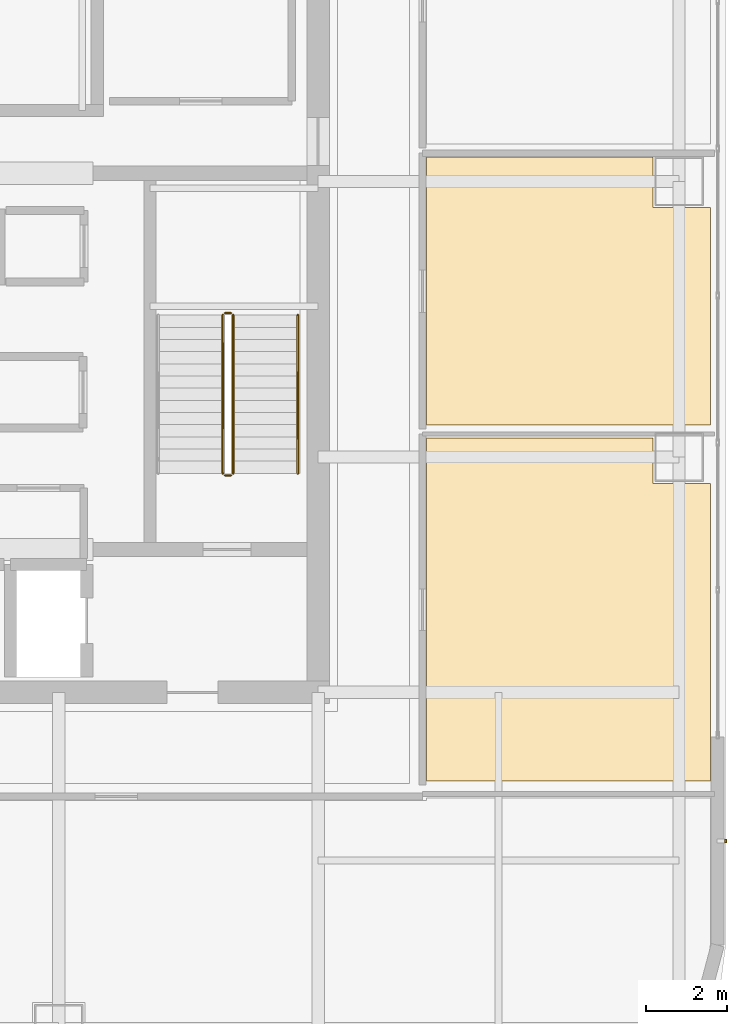
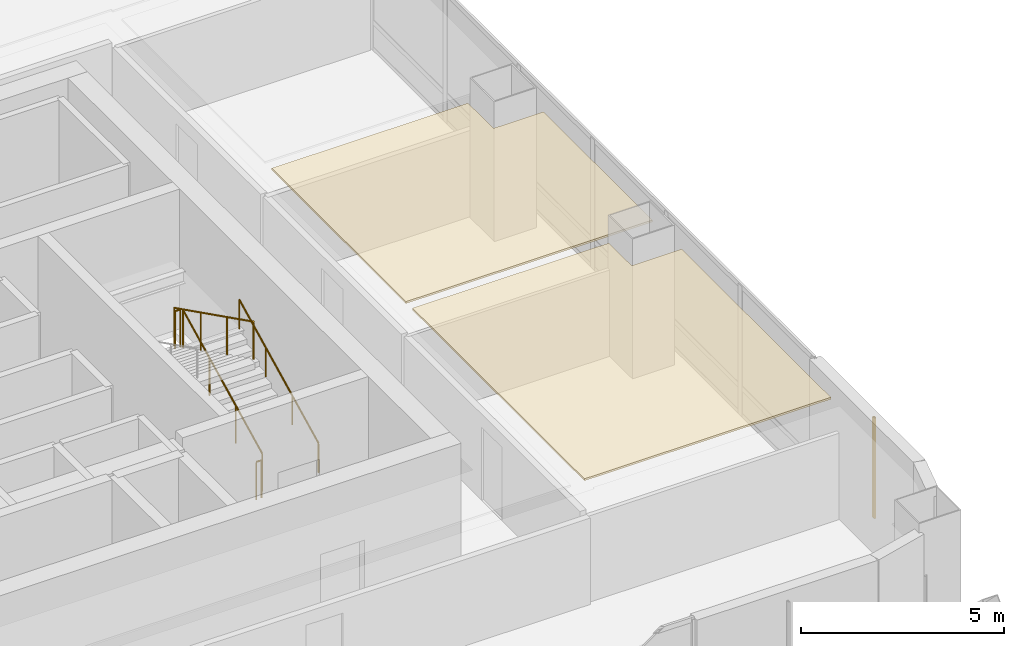
# One storey, part 45 of 51: 5 railings, 2 coverings, 1 shading device.
"""IFC4 building model written with IfcOpenShell, lengths in metres."""

from ifc_helpers import new_model, si_unit, direction, frame, origin, origin_2d, place, context, subcontext, project, spatial, polyline, hollow_rectangle, circle, outline, extrude, material, layer, layer_set, material_profile, profile_set, type_object, element, save


model = new_model("IFC4")

# Units and contexts
model_context = context("Model", 3, precision=1e-05, world=origin(), true_north=direction((0.0, 1.0)))
body_context = subcontext(model_context, "Body", "Model", "MODEL_VIEW")
ifc_project = project(units=[si_unit("LENGTHUNIT", "METRE"), si_unit("AREAUNIT", "SQUARE_METRE"), si_unit("VOLUMEUNIT", "CUBIC_METRE"), si_unit("PLANEANGLEUNIT", "RADIAN"), si_unit("MASSUNIT", "GRAM", prefix="KILO")], contexts=[model_context])

# Site, building, storey
site_placement = place(None, origin())
site = spatial("IfcSite", under=ifc_project, at=site_placement, CompositionType="ELEMENT")
building_placement = place(site_placement, origin())
building = spatial("IfcBuilding", under=site, at=building_placement, Name="Punatoya Terracotta Tower", CompositionType="ELEMENT")
storey_placement = place(building_placement, frame((0.0, 0.0, 313.199951171875)))
storey = spatial("IfcBuildingStorey", under=building, at=storey_placement, Name="L74", CompositionType="ELEMENT", Elevation=313.199951171875)

# Coverings
ifc_material_1 = material(Name="Acoustic Mineral Fibre Ceiling")
ifc_layer = layer(ifc_material_1, 0.06005859375)
ifc_layer_set = layer_set([ifc_layer], Name="Acoustic Mineral Fibre Ceiling")
covering_type = type_object("IfcCoveringType", Name="COV-CEIL-60", PredefinedType="CEILING", material=ifc_layer_set)
covering_1_placement = place(storey_placement, frame((0.0, 0.0, 3.39013671875)))
element("IfcCovering", 1, at=covering_1_placement, inside=storey, type_object=covering_type, Name="L74 Open-Plan Cultural History Classroom Acoustic Ceiling", PredefinedType="CEILING", context=body_context, shape_type="SweptSolid", body=[
    extrude(outline(polyline([(12.8701171875, -2.931884765625), (12.8701171875, -11.389892578125), (19.8701171875, -11.389892578125), (19.8701171875, -4.050048828125), (18.449951171875, -4.050048828125), (18.449951171875, -2.931884765625), (12.8701171875, -2.931884765625)])), origin(), (0.0, 0.0, 1.0), 0.059814453125),
])
covering_2_placement = place(storey_placement, frame((0.0, 0.0, 3.39013671875)))
element("IfcCovering", 2, at=covering_2_placement, inside=storey, type_object=covering_type, Name="L74 Open-Plan Nutrition Tea Pantry Acoustic Ceiling", PredefinedType="CEILING", context=body_context, shape_type="SweptSolid", body=[
    extrude(outline(polyline([(19.8701171875, 2.75), (18.449951171875, 2.75), (18.449951171875, 3.998046875), (12.8701171875, 3.998046875), (12.8701171875, -2.612060546875), (19.8701171875, -2.612060546875), (19.8701171875, 2.75)])), origin(), (0.0, 0.0, 1.0), 0.059814453125),
])

# Railings
ifc_material_2 = material(Name="Steel S355", Category="steel")
railing_type_1 = type_object("IfcRailingType", Name="RLG-GRD-1150", PredefinedType="GUARDRAIL", material=ifc_material_2)
railing_1_placement = place(storey_placement, frame((8.10009765625, -3.800048828125, 0.150146484375)))
element("IfcRailing", 3, at=railing_1_placement, inside=storey, type_object=railing_type_1, Name="L74 ST-2 stair guard 1", PredefinedType="GUARDRAIL", context=body_context, shape_type="SweptSolid", body=[
    extrude(circle(Radius=0.02392578125, at=origin_2d()), frame((0.0, 0.0, 1.1259765625), z_axis=(0.0, 0.894438388696, 0.447191199406), x_axis=(-1.0, 0.0, 0.0)), (0.0, 0.0, 1.0), 4.3603515625),
    extrude(circle(Radius=0.02099609375, at=origin_2d()), origin(), (0.0, 0.0, 1.0), 1.101806640625),
    extrude(circle(Radius=0.02099609375, at=origin_2d()), frame((0.0, 1.300048828125, 0.64990234375)), (0.0, 0.0, 1.0), 1.101806640625),
    extrude(circle(Radius=0.02099609375, at=origin_2d()), frame((0.0, 2.60009765625, 1.300048828125)), (0.0, 0.0, 1.0), 1.101806640625),
    extrude(circle(Radius=0.02099609375, at=origin_2d()), frame((0.0, 3.900146484375, 1.949951171875)), (0.0, 0.0, 1.0), 1.101806640625),
])
railing_2_placement = place(storey_placement, frame((8.050048828125, 0.14990234375, 2.10009765625)))
element("IfcRailing", 4, at=railing_2_placement, inside=storey, type_object=railing_type_1, Name="L74 ST-2 stair guard 2", PredefinedType="GUARDRAIL", context=body_context, shape_type="SweptSolid", body=[
    extrude(circle(Radius=0.02392578125, at=origin_2d()), frame((0.0, 0.0, 1.1259765625), z_axis=(-1.0, 0.0, 0.0), x_axis=(0.0, -1.0, 0.0)), (0.0, 0.0, 1.0), 0.150146484375),
    extrude(circle(Radius=0.02099609375, at=origin_2d()), origin(), (0.0, 0.0, 1.0), 1.101806640625),
    extrude(circle(Radius=0.02099609375, at=origin_2d()), frame((-0.150146484375, 0.0, 0.0)), (0.0, 0.0, 1.0), 1.101806640625),
])
railing_3_placement = place(storey_placement, frame((7.85009765625, 0.10009765625, 2.25)))
element("IfcRailing", 5, at=railing_3_placement, inside=storey, type_object=railing_type_1, Name="L74 ST-2 stair guard 3", PredefinedType="GUARDRAIL", context=body_context, shape_type="SweptSolid", body=[
    extrude(circle(Radius=0.02392578125, at=origin_2d()), frame((0.0, 0.0, 1.1259765625), z_axis=(0.0, -0.894438388696, 0.447191199406), x_axis=(1.0, 0.0, 0.0)), (0.0, 0.0, 1.0), 4.3603515625),
    extrude(circle(Radius=0.02099609375, at=origin_2d()), origin(), (0.0, 0.0, 1.0), 1.101806640625),
    extrude(circle(Radius=0.02099609375, at=origin_2d()), frame((0.0, -1.300048828125, 0.64990234375)), (0.0, 0.0, 1.0), 1.101806640625),
    extrude(circle(Radius=0.02099609375, at=origin_2d()), frame((0.0, -2.60009765625, 1.300048828125)), (0.0, 0.0, 1.0), 1.101806640625),
    extrude(circle(Radius=0.02099609375, at=origin_2d()), frame((0.0, -3.900146484375, 1.949951171875)), (0.0, 0.0, 1.0), 1.101806640625),
])
railing_4_placement = place(storey_placement, frame((8.050048828125, -3.85009765625, 0.0)))
element("IfcRailing", 6, at=railing_4_placement, inside=storey, type_object=railing_type_1, Name="L74 ST-2 stair guard 4", PredefinedType="GUARDRAIL", context=body_context, shape_type="SweptSolid", body=[
    extrude(circle(Radius=0.02392578125, at=origin_2d()), frame((0.0, 0.0, 1.1259765625), z_axis=(-1.0, 0.0, 0.0), x_axis=(0.0, -1.0, 0.0)), (0.0, 0.0, 1.0), 0.150146484375),
    extrude(circle(Radius=0.02099609375, at=origin_2d()), origin(), (0.0, 0.0, 1.0), 1.101806640625),
    extrude(circle(Radius=0.02099609375, at=origin_2d()), frame((-0.150146484375, 0.0, 0.0)), (0.0, 0.0, 1.0), 1.101806640625),
])
railing_type_2 = type_object("IfcRailingType", Name="RLG-HND-900", PredefinedType="HANDRAIL", material=ifc_material_2)
railing_5_placement = place(storey_placement, frame((9.699951171875, -3.800048828125, 0.150146484375)))
element("IfcRailing", 7, at=railing_5_placement, inside=storey, type_object=railing_type_2, Name="L74 ST-2 stair handrail 1", PredefinedType="HANDRAIL", context=body_context, shape_type="SweptSolid", body=[
    extrude(circle(Radius=0.02392578125, at=origin_2d()), frame((0.0, 0.0, 0.8759765625), z_axis=(0.0, 0.894438388696, 0.447191199406), x_axis=(-1.0, 0.0, 0.0)), (0.0, 0.0, 1.0), 4.3603515625),
    extrude(circle(Radius=0.02099609375, at=origin_2d()), origin(), (0.0, 0.0, 1.0), 0.851806640625),
    extrude(circle(Radius=0.02099609375, at=origin_2d()), frame((0.0, 1.300048828125, 0.64990234375)), (0.0, 0.0, 1.0), 0.851806640625),
    extrude(circle(Radius=0.02099609375, at=origin_2d()), frame((0.0, 2.60009765625, 1.300048828125)), (0.0, 0.0, 1.0), 0.851806640625),
    extrude(circle(Radius=0.02099609375, at=origin_2d()), frame((0.0, 3.900146484375, 1.949951171875)), (0.0, 0.0, 1.0), 0.851806640625),
])

# Shading device
ifc_material_3 = material(Name="Architectural Fired Terracotta", Category="masonry")
ifc_material_profile = material_profile(ifc_material_3, hollow_rectangle(XDim=0.06005859375, YDim=0.090087890625, WallThickness=0.013916015625, at=origin_2d()))
ifc_profile_set = profile_set([ifc_material_profile], Name="Architectural Fired Terracotta")
shading_device_type = type_object("IfcShadingDeviceType", Name="SHD-JALI-90", PredefinedType="JALOUSIE", material=ifc_profile_set)
shading_device_placement = place(storey_placement, frame((20.25, -12.868408203125, 0.60009765625), z_axis=(0.0, 0.0, 1.0), x_axis=(1.0, 0.0, 0.0)))
element("IfcShadingDevice", 8, at=shading_device_placement, inside=storey, type_object=shading_device_type, Name="L74 Braced Bay Terracotta Jali Fin E1", PredefinedType="JALOUSIE", context=body_context, shape_type="SweptSolid", body=[
    extrude(hollow_rectangle(XDim=0.06005859375, YDim=0.090087890625, WallThickness=0.013916015625, at=origin_2d()), origin(), (0.0, 0.0, 1.0), 3.02001953125),
])

save(model, "model.ifc")
